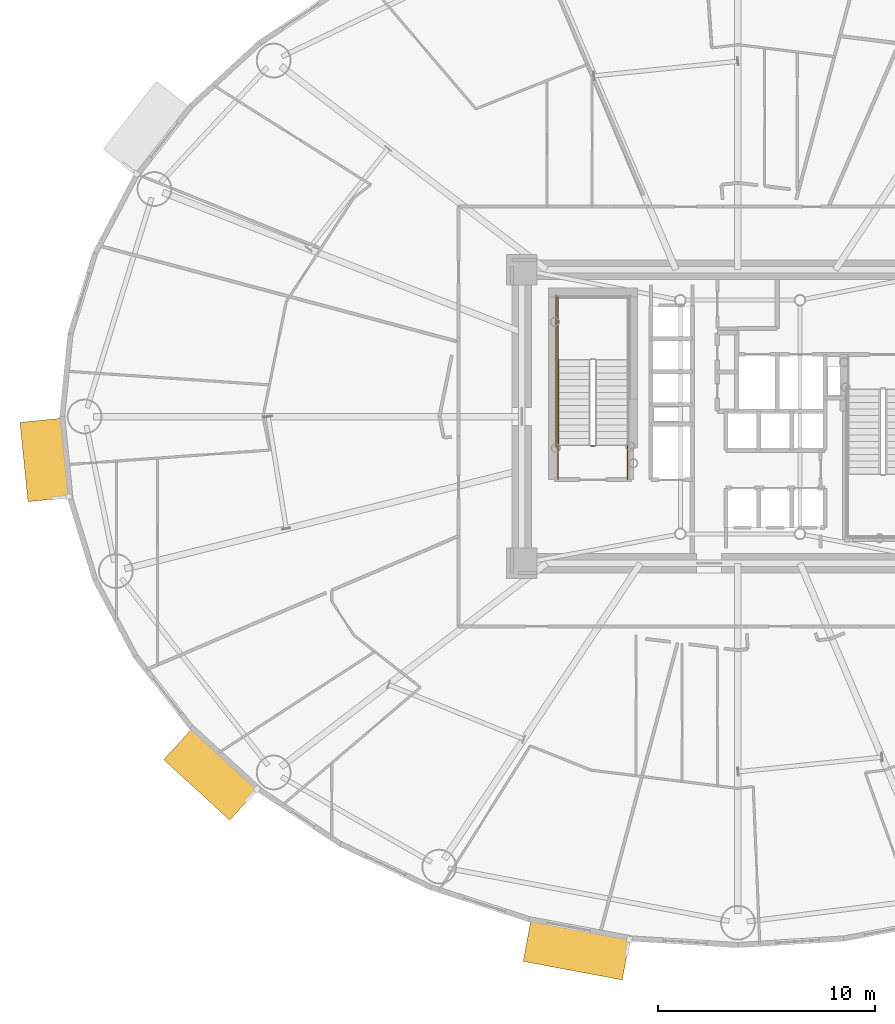
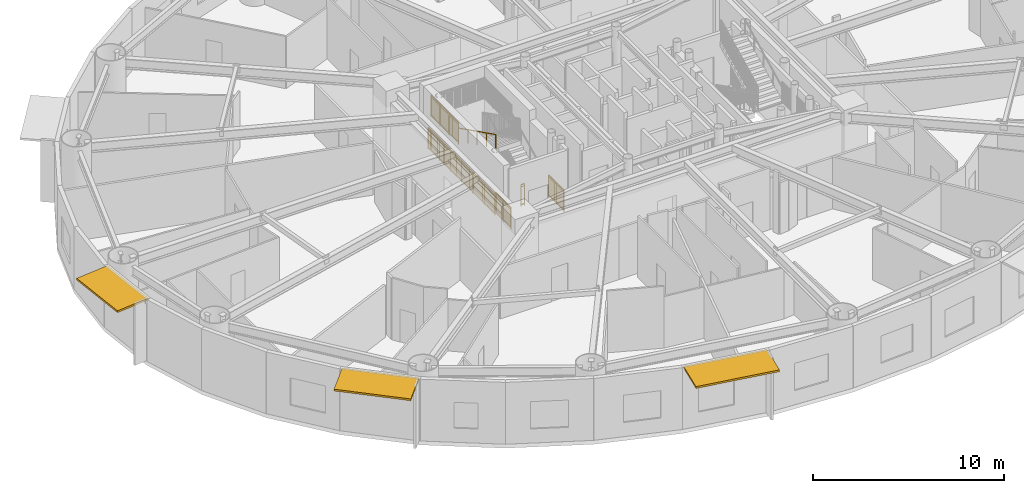
# One storey, part 18 of 24: 6 railings, 3 shading devices.
"""IFC4 building model written with IfcOpenShell, lengths in metres."""

from ifc_helpers import new_model, si_unit, direction, frame, origin, origin_2d, place, context, subcontext, project, spatial, rectangle, extrude, source, transform, mapped, material, layer, layer_set, type_object, element, save


model = new_model("IFC4")

# Units and contexts
model_context = context("Model", 3, precision=1e-05, world=origin(), true_north=direction((0.0, 1.0)))
body_context = subcontext(model_context, "Body", "Model", "MODEL_VIEW")
ifc_project = project(units=[si_unit("LENGTHUNIT", "METRE"), si_unit("AREAUNIT", "SQUARE_METRE"), si_unit("VOLUMEUNIT", "CUBIC_METRE"), si_unit("PLANEANGLEUNIT", "RADIAN"), si_unit("MASSUNIT", "GRAM", prefix="KILO")], contexts=[model_context])

# Site, building, storey
site_placement = place(None, origin())
site = spatial("IfcSite", under=ifc_project, at=site_placement, CompositionType="ELEMENT")
building_placement = place(site_placement, origin())
building = spatial("IfcBuilding", under=site, at=building_placement, Name="Linh Dai School and Residence Tower", CompositionType="ELEMENT")
storey_placement = place(building_placement, frame((0.0, 0.0, 74.39990234375)))
storey = spatial("IfcBuildingStorey", under=building, at=storey_placement, Name="L17", CompositionType="ELEMENT", Elevation=74.39990234375)

# Shading devices
ifc_material_1 = material(Name="Terracotta Ceramic Sunshade", Category="masonry")
ifc_layer = layer(ifc_material_1, 0.1201171875)
ifc_layer_set = layer_set([ifc_layer], Name="Terracotta Ceramic Sunshade")
shading_device_type = type_object("IfcShadingDeviceType", Name="SHD-TC-2000", PredefinedType="USERDEFINED", material=ifc_layer_set)
shared_shape_1 = source(origin(), body_context, "Body", "SweptSolid", [
    extrude(rectangle(XDim=3.663330078125, YDim=2.0, at=origin_2d()), origin(), (0.0, 0.0, 1.0), 0.1201171875),
])
shading_device_1_placement = place(storey_placement, frame((4.16064453125, 25.005615234375, 3.81005859375), z_axis=(0.0, 0.0, 1.0), x_axis=(-0.100009387998, 0.994986493533, 0.0)))
element("IfcShadingDevice", 1, at=shading_device_1_placement, inside=storey, type_object=shading_device_type, Name="L17 Terracotta Horizontal Sunshade Band 21", ObjectType="SUNSHADE", PredefinedType="USERDEFINED", context=body_context, shape_type="MappedRepresentation", body=[
    mapped(shared_shape_1, transform((0.0, 0.0, 0.0), x_axis=(1.0, 0.0, 0.0), y_axis=(0.0, 1.0, 0.0), z_axis=(0.0, 0.0, 1.0), scale=1.0)),
])
shared_shape_2 = source(origin(), body_context, "Body", "SweptSolid", [
    extrude(rectangle(XDim=4.1220703125, YDim=2.0, at=origin_2d()), origin(), (0.0, 0.0, 1.0), 0.1201171875),
])
shading_device_2_placement = place(storey_placement, frame((11.7841796875, 10.56689453125, 3.81005859375), z_axis=(0.0, 0.0, 1.0), x_axis=(-0.737113246362, 0.675769237268, 0.0)))
element("IfcShadingDevice", 2, at=shading_device_2_placement, inside=storey, type_object=shading_device_type, Name="L17 Terracotta Horizontal Sunshade Band 25", ObjectType="SUNSHADE", PredefinedType="USERDEFINED", context=body_context, shape_type="MappedRepresentation", body=[
    mapped(shared_shape_2, transform((0.0, 0.0, 0.0), x_axis=(1.0, 0.0, 0.0), y_axis=(0.0, 1.0, 0.0), z_axis=(0.0, 0.0, 1.0), scale=1.0)),
])
shared_shape_3 = source(origin(), body_context, "Body", "SweptSolid", [
    extrude(rectangle(XDim=4.635009765625, YDim=2.0, at=origin_2d()), origin(), (0.0, 0.0, 1.0), 0.1201171875),
])
shading_device_3_placement = place(storey_placement, frame((28.584716796875, 2.497314453125, 3.81005859375), z_axis=(0.0, 0.0, 1.0), x_axis=(-0.982785935675, 0.184747948944, 0.0)))
element("IfcShadingDevice", 3, at=shading_device_3_placement, inside=storey, type_object=shading_device_type, Name="L17 Terracotta Horizontal Sunshade Band 29", ObjectType="SUNSHADE", PredefinedType="USERDEFINED", context=body_context, shape_type="MappedRepresentation", body=[
    mapped(shared_shape_3, transform((0.0, 0.0, 0.0), x_axis=(1.0, 0.0, 0.0), y_axis=(0.0, 1.0, 0.0), z_axis=(0.0, 0.0, 1.0), scale=1.0)),
])

# Railings
ifc_material_2 = material(Name="Structural Steel S355JR", Category="steel")
railing_type_1 = type_object("IfcRailingType", Name="RL-ST-GUARD-1400", PredefinedType="GUARDRAIL", material=ifc_material_2)
shared_shape_4 = source(origin(), body_context, "Body", "SweptSolid", [
    extrude(rectangle(XDim=0.048095703125, YDim=0.048095703125, at=origin_2d()), frame((0.0, 0.0, 1.3759765625), z_axis=(-1.0, 0.0, 0.0), x_axis=(0.0, -1.0, 0.0)), (0.0, 0.0, 1.0), 0.199951171875),
    extrude(rectangle(XDim=0.048095703125, YDim=0.048095703125, at=origin_2d()), frame((0.0, 0.0, 0.10009765625), z_axis=(-1.0, 0.0, 0.0), x_axis=(0.0, -1.0, 0.0)), (0.0, 0.0, 1.0), 0.199951171875),
    extrude(rectangle(XDim=0.030029296875, YDim=0.030029296875, at=origin_2d()), frame((0.0, 0.0, 1.239990234375), z_axis=(-1.0, 0.0, 0.0), x_axis=(0.0, -1.0, 0.0)), (0.0, 0.0, 1.0), 0.199951171875),
    extrude(rectangle(XDim=0.0419921875, YDim=0.0419921875, at=origin_2d()), origin(), (0.0, 0.0, 1.0), 1.3759765625),
    extrude(rectangle(XDim=0.0419921875, YDim=0.0419921875, at=origin_2d()), frame((-0.199951171875, 0.0, 0.0)), (0.0, 0.0, 1.0), 1.3759765625),
])
railing_1_placement = place(storey_placement, frame((29.429931640625, 25.64990234375, 0.0)))
element("IfcRailing", 4, at=railing_1_placement, inside=storey, type_object=railing_type_1, Name="L17 ST1 stair guard 7", PredefinedType="GUARDRAIL", context=body_context, shape_type="MappedRepresentation", body=[
    mapped(shared_shape_4, transform((0.0, 0.0, 0.0), x_axis=(1.0, 0.0, 0.0), y_axis=(0.0, 1.0, 0.0), z_axis=(0.0, 0.0, 1.0), scale=1.0)),
])
shared_shape_5 = source(origin(), body_context, "Body", "SweptSolid", [
    extrude(rectangle(XDim=0.048095703125, YDim=0.048095703125, at=origin_2d()), frame((0.0, 0.0, 1.3759765625), z_axis=(0.0, 1.0, 0.0), x_axis=(-1.0, 0.0, 0.0)), (0.0, 0.0, 1.0), 1.599853515625),
    extrude(rectangle(XDim=0.048095703125, YDim=0.048095703125, at=origin_2d()), frame((0.0, 0.0, 0.10009765625), z_axis=(0.0, 1.0, 0.0), x_axis=(-1.0, 0.0, 0.0)), (0.0, 0.0, 1.0), 1.599853515625),
    extrude(rectangle(XDim=0.030029296875, YDim=0.030029296875, at=origin_2d()), frame((0.0, 0.0, 1.239990234375), z_axis=(0.0, 1.0, 0.0), x_axis=(-1.0, 0.0, 0.0)), (0.0, 0.0, 1.0), 1.599853515625),
    extrude(rectangle(XDim=0.02001953125, YDim=0.02001953125, at=origin_2d()), frame((0.0, 0.093994140625, 0.10009765625)), (0.0, 0.0, 1.0), 1.251708984375),
    extrude(rectangle(XDim=0.02001953125, YDim=0.02001953125, at=origin_2d()), frame((0.0, 0.188232421875, 0.10009765625)), (0.0, 0.0, 1.0), 1.251708984375),
    extrude(rectangle(XDim=0.02001953125, YDim=0.02001953125, at=origin_2d()), frame((0.0, 0.2822265625, 0.10009765625)), (0.0, 0.0, 1.0), 1.251708984375),
    extrude(rectangle(XDim=0.02001953125, YDim=0.02001953125, at=origin_2d()), frame((0.0, 0.37646484375, 0.10009765625)), (0.0, 0.0, 1.0), 1.251708984375),
    extrude(rectangle(XDim=0.02001953125, YDim=0.02001953125, at=origin_2d()), frame((0.0, 0.470458984375, 0.10009765625)), (0.0, 0.0, 1.0), 1.251708984375),
    extrude(rectangle(XDim=0.02001953125, YDim=0.02001953125, at=origin_2d()), frame((0.0, 0.564697265625, 0.10009765625)), (0.0, 0.0, 1.0), 1.251708984375),
    extrude(rectangle(XDim=0.02001953125, YDim=0.02001953125, at=origin_2d()), frame((0.0, 0.65869140625, 0.10009765625)), (0.0, 0.0, 1.0), 1.251708984375),
    extrude(rectangle(XDim=0.02001953125, YDim=0.02001953125, at=origin_2d()), frame((0.0, 0.7529296875, 0.10009765625)), (0.0, 0.0, 1.0), 1.251708984375),
    extrude(rectangle(XDim=0.02001953125, YDim=0.02001953125, at=origin_2d()), frame((0.0, 0.846923828125, 0.10009765625)), (0.0, 0.0, 1.0), 1.251708984375),
    extrude(rectangle(XDim=0.02001953125, YDim=0.02001953125, at=origin_2d()), frame((0.0, 0.941162109375, 0.10009765625)), (0.0, 0.0, 1.0), 1.251708984375),
    extrude(rectangle(XDim=0.02001953125, YDim=0.02001953125, at=origin_2d()), frame((0.0, 1.03515625, 0.10009765625)), (0.0, 0.0, 1.0), 1.251708984375),
    extrude(rectangle(XDim=0.02001953125, YDim=0.02001953125, at=origin_2d()), frame((0.0, 1.12939453125, 0.10009765625)), (0.0, 0.0, 1.0), 1.251708984375),
    extrude(rectangle(XDim=0.02001953125, YDim=0.02001953125, at=origin_2d()), frame((0.0, 1.223388671875, 0.10009765625)), (0.0, 0.0, 1.0), 1.251708984375),
    extrude(rectangle(XDim=0.02001953125, YDim=0.02001953125, at=origin_2d()), frame((0.0, 1.317626953125, 0.10009765625)), (0.0, 0.0, 1.0), 1.251708984375),
    extrude(rectangle(XDim=0.02001953125, YDim=0.02001953125, at=origin_2d()), frame((0.0, 1.41162109375, 0.10009765625)), (0.0, 0.0, 1.0), 1.251708984375),
    extrude(rectangle(XDim=0.02001953125, YDim=0.02001953125, at=origin_2d()), frame((0.0, 1.505859375, 0.10009765625)), (0.0, 0.0, 1.0), 1.251708984375),
    extrude(rectangle(XDim=0.0419921875, YDim=0.0419921875, at=origin_2d()), origin(), (0.0, 0.0, 1.0), 1.3759765625),
    extrude(rectangle(XDim=0.0419921875, YDim=0.0419921875, at=origin_2d()), frame((0.0, 0.7998046875, 0.0)), (0.0, 0.0, 1.0), 1.3759765625),
    extrude(rectangle(XDim=0.0419921875, YDim=0.0419921875, at=origin_2d()), frame((0.0, 1.599853515625, 0.0)), (0.0, 0.0, 1.0), 1.3759765625),
])
for number, where, name in (
    (5, (30.929931640625, 24.10009765625, 0.0), "L17 ST1 stair guard 8"),
    (6, (27.72998046875, 24.10009765625, 0.0), "L17 ST1 stair guard 9"),
):
    element("IfcRailing", number, at=place(storey_placement, frame(where)), inside=storey, type_object=railing_type_1, Name=name, PredefinedType="GUARDRAIL", context=body_context, shape_type="MappedRepresentation", body=[
        mapped(shared_shape_5, transform((0.0, 0.0, 0.0), x_axis=(1.0, 0.0, 0.0), y_axis=(0.0, 1.0, 0.0), z_axis=(0.0, 0.0, 1.0), scale=1.0)),
    ])
shared_shape_6 = source(origin(), body_context, "Body", "SweptSolid", [
    extrude(rectangle(XDim=0.048095703125, YDim=0.048095703125, at=origin_2d()), frame((0.0, 0.0, 1.3759765625), z_axis=(0.0, 1.0, 0.0), x_axis=(-1.0, 0.0, 0.0)), (0.0, 0.0, 1.0), 7.0),
    extrude(rectangle(XDim=0.048095703125, YDim=0.048095703125, at=origin_2d()), frame((0.0, 0.0, 0.10009765625), z_axis=(0.0, 1.0, 0.0), x_axis=(-1.0, 0.0, 0.0)), (0.0, 0.0, 1.0), 7.0),
    extrude(rectangle(XDim=0.030029296875, YDim=0.030029296875, at=origin_2d()), frame((0.0, 0.0, 1.239990234375), z_axis=(0.0, 1.0, 0.0), x_axis=(-1.0, 0.0, 0.0)), (0.0, 0.0, 1.0), 7.0),
    extrude(rectangle(XDim=0.02001953125, YDim=0.02001953125, at=origin_2d()), frame((0.0, 0.09716796875, 0.10009765625)), (0.0, 0.0, 1.0), 1.251708984375),
    extrude(rectangle(XDim=0.02001953125, YDim=0.02001953125, at=origin_2d()), frame((0.0, 0.1943359375, 0.10009765625)), (0.0, 0.0, 1.0), 1.251708984375),
    extrude(rectangle(XDim=0.02001953125, YDim=0.02001953125, at=origin_2d()), frame((0.0, 0.291748046875, 0.10009765625)), (0.0, 0.0, 1.0), 1.251708984375),
    extrude(rectangle(XDim=0.02001953125, YDim=0.02001953125, at=origin_2d()), frame((0.0, 0.388916015625, 0.10009765625)), (0.0, 0.0, 1.0), 1.251708984375),
    extrude(rectangle(XDim=0.02001953125, YDim=0.02001953125, at=origin_2d()), frame((0.0, 0.486083984375, 0.10009765625)), (0.0, 0.0, 1.0), 1.251708984375),
    extrude(rectangle(XDim=0.02001953125, YDim=0.02001953125, at=origin_2d()), frame((0.0, 0.583251953125, 0.10009765625)), (0.0, 0.0, 1.0), 1.251708984375),
    extrude(rectangle(XDim=0.02001953125, YDim=0.02001953125, at=origin_2d()), frame((0.0, 0.6806640625, 0.10009765625)), (0.0, 0.0, 1.0), 1.251708984375),
    extrude(rectangle(XDim=0.02001953125, YDim=0.02001953125, at=origin_2d()), frame((0.0, 0.77783203125, 0.10009765625)), (0.0, 0.0, 1.0), 1.251708984375),
    extrude(rectangle(XDim=0.02001953125, YDim=0.02001953125, at=origin_2d()), frame((0.0, 0.875, 0.10009765625)), (0.0, 0.0, 1.0), 1.251708984375),
    extrude(rectangle(XDim=0.02001953125, YDim=0.02001953125, at=origin_2d()), frame((0.0, 0.97216796875, 0.10009765625)), (0.0, 0.0, 1.0), 1.251708984375),
    extrude(rectangle(XDim=0.02001953125, YDim=0.02001953125, at=origin_2d()), frame((0.0, 1.0693359375, 0.10009765625)), (0.0, 0.0, 1.0), 1.251708984375),
    extrude(rectangle(XDim=0.02001953125, YDim=0.02001953125, at=origin_2d()), frame((0.0, 1.263916015625, 0.10009765625)), (0.0, 0.0, 1.0), 1.251708984375),
    extrude(rectangle(XDim=0.02001953125, YDim=0.02001953125, at=origin_2d()), frame((0.0, 1.361083984375, 0.10009765625)), (0.0, 0.0, 1.0), 1.251708984375),
    extrude(rectangle(XDim=0.02001953125, YDim=0.02001953125, at=origin_2d()), frame((0.0, 1.458251953125, 0.10009765625)), (0.0, 0.0, 1.0), 1.251708984375),
    extrude(rectangle(XDim=0.02001953125, YDim=0.02001953125, at=origin_2d()), frame((0.0, 1.5556640625, 0.10009765625)), (0.0, 0.0, 1.0), 1.251708984375),
    extrude(rectangle(XDim=0.02001953125, YDim=0.02001953125, at=origin_2d()), frame((0.0, 1.65283203125, 0.10009765625)), (0.0, 0.0, 1.0), 1.251708984375),
    extrude(rectangle(XDim=0.02001953125, YDim=0.02001953125, at=origin_2d()), frame((0.0, 1.75, 0.10009765625)), (0.0, 0.0, 1.0), 1.251708984375),
    extrude(rectangle(XDim=0.02001953125, YDim=0.02001953125, at=origin_2d()), frame((0.0, 1.84716796875, 0.10009765625)), (0.0, 0.0, 1.0), 1.251708984375),
    extrude(rectangle(XDim=0.02001953125, YDim=0.02001953125, at=origin_2d()), frame((0.0, 1.9443359375, 0.10009765625)), (0.0, 0.0, 1.0), 1.251708984375),
    extrude(rectangle(XDim=0.02001953125, YDim=0.02001953125, at=origin_2d()), frame((0.0, 2.041748046875, 0.10009765625)), (0.0, 0.0, 1.0), 1.251708984375),
    extrude(rectangle(XDim=0.02001953125, YDim=0.02001953125, at=origin_2d()), frame((0.0, 2.138916015625, 0.10009765625)), (0.0, 0.0, 1.0), 1.251708984375),
    extrude(rectangle(XDim=0.02001953125, YDim=0.02001953125, at=origin_2d()), frame((0.0, 2.236083984375, 0.10009765625)), (0.0, 0.0, 1.0), 1.251708984375),
    extrude(rectangle(XDim=0.02001953125, YDim=0.02001953125, at=origin_2d()), frame((0.0, 2.4306640625, 0.10009765625)), (0.0, 0.0, 1.0), 1.251708984375),
    extrude(rectangle(XDim=0.02001953125, YDim=0.02001953125, at=origin_2d()), frame((0.0, 2.52783203125, 0.10009765625)), (0.0, 0.0, 1.0), 1.251708984375),
    extrude(rectangle(XDim=0.02001953125, YDim=0.02001953125, at=origin_2d()), frame((0.0, 2.625, 0.10009765625)), (0.0, 0.0, 1.0), 1.251708984375),
    extrude(rectangle(XDim=0.02001953125, YDim=0.02001953125, at=origin_2d()), frame((0.0, 2.72216796875, 0.10009765625)), (0.0, 0.0, 1.0), 1.251708984375),
    extrude(rectangle(XDim=0.02001953125, YDim=0.02001953125, at=origin_2d()), frame((0.0, 2.8193359375, 0.10009765625)), (0.0, 0.0, 1.0), 1.251708984375),
    extrude(rectangle(XDim=0.02001953125, YDim=0.02001953125, at=origin_2d()), frame((0.0, 2.916748046875, 0.10009765625)), (0.0, 0.0, 1.0), 1.251708984375),
    extrude(rectangle(XDim=0.02001953125, YDim=0.02001953125, at=origin_2d()), frame((0.0, 3.013916015625, 0.10009765625)), (0.0, 0.0, 1.0), 1.251708984375),
    extrude(rectangle(XDim=0.02001953125, YDim=0.02001953125, at=origin_2d()), frame((0.0, 3.111083984375, 0.10009765625)), (0.0, 0.0, 1.0), 1.251708984375),
    extrude(rectangle(XDim=0.02001953125, YDim=0.02001953125, at=origin_2d()), frame((0.0, 3.208251953125, 0.10009765625)), (0.0, 0.0, 1.0), 1.251708984375),
    extrude(rectangle(XDim=0.02001953125, YDim=0.02001953125, at=origin_2d()), frame((0.0, 3.3056640625, 0.10009765625)), (0.0, 0.0, 1.0), 1.251708984375),
    extrude(rectangle(XDim=0.02001953125, YDim=0.02001953125, at=origin_2d()), frame((0.0, 3.40283203125, 0.10009765625)), (0.0, 0.0, 1.0), 1.251708984375),
    extrude(rectangle(XDim=0.02001953125, YDim=0.02001953125, at=origin_2d()), frame((0.0, 3.59716796875, 0.10009765625)), (0.0, 0.0, 1.0), 1.251708984375),
    extrude(rectangle(XDim=0.02001953125, YDim=0.02001953125, at=origin_2d()), frame((0.0, 3.6943359375, 0.10009765625)), (0.0, 0.0, 1.0), 1.251708984375),
    extrude(rectangle(XDim=0.02001953125, YDim=0.02001953125, at=origin_2d()), frame((0.0, 3.791748046875, 0.10009765625)), (0.0, 0.0, 1.0), 1.251708984375),
    extrude(rectangle(XDim=0.02001953125, YDim=0.02001953125, at=origin_2d()), frame((0.0, 3.888916015625, 0.10009765625)), (0.0, 0.0, 1.0), 1.251708984375),
    extrude(rectangle(XDim=0.02001953125, YDim=0.02001953125, at=origin_2d()), frame((0.0, 3.986083984375, 0.10009765625)), (0.0, 0.0, 1.0), 1.251708984375),
    extrude(rectangle(XDim=0.02001953125, YDim=0.02001953125, at=origin_2d()), frame((0.0, 4.083251953125, 0.10009765625)), (0.0, 0.0, 1.0), 1.251708984375),
    extrude(rectangle(XDim=0.02001953125, YDim=0.02001953125, at=origin_2d()), frame((0.0, 4.1806640625, 0.10009765625)), (0.0, 0.0, 1.0), 1.251708984375),
    extrude(rectangle(XDim=0.02001953125, YDim=0.02001953125, at=origin_2d()), frame((0.0, 4.27783203125, 0.10009765625)), (0.0, 0.0, 1.0), 1.251708984375),
    extrude(rectangle(XDim=0.02001953125, YDim=0.02001953125, at=origin_2d()), frame((0.0, 4.375, 0.10009765625)), (0.0, 0.0, 1.0), 1.251708984375),
    extrude(rectangle(XDim=0.02001953125, YDim=0.02001953125, at=origin_2d()), frame((0.0, 4.47216796875, 0.10009765625)), (0.0, 0.0, 1.0), 1.251708984375),
    extrude(rectangle(XDim=0.02001953125, YDim=0.02001953125, at=origin_2d()), frame((0.0, 4.5693359375, 0.10009765625)), (0.0, 0.0, 1.0), 1.251708984375),
    extrude(rectangle(XDim=0.02001953125, YDim=0.02001953125, at=origin_2d()), frame((0.0, 4.763916015625, 0.10009765625)), (0.0, 0.0, 1.0), 1.251708984375),
    extrude(rectangle(XDim=0.02001953125, YDim=0.02001953125, at=origin_2d()), frame((0.0, 4.861083984375, 0.10009765625)), (0.0, 0.0, 1.0), 1.251708984375),
    extrude(rectangle(XDim=0.02001953125, YDim=0.02001953125, at=origin_2d()), frame((0.0, 4.958251953125, 0.10009765625)), (0.0, 0.0, 1.0), 1.251708984375),
    extrude(rectangle(XDim=0.02001953125, YDim=0.02001953125, at=origin_2d()), frame((0.0, 5.0556640625, 0.10009765625)), (0.0, 0.0, 1.0), 1.251708984375),
    extrude(rectangle(XDim=0.02001953125, YDim=0.02001953125, at=origin_2d()), frame((0.0, 5.15283203125, 0.10009765625)), (0.0, 0.0, 1.0), 1.251708984375),
    extrude(rectangle(XDim=0.02001953125, YDim=0.02001953125, at=origin_2d()), frame((0.0, 5.25, 0.10009765625)), (0.0, 0.0, 1.0), 1.251708984375),
    extrude(rectangle(XDim=0.02001953125, YDim=0.02001953125, at=origin_2d()), frame((0.0, 5.34716796875, 0.10009765625)), (0.0, 0.0, 1.0), 1.251708984375),
    extrude(rectangle(XDim=0.02001953125, YDim=0.02001953125, at=origin_2d()), frame((0.0, 5.4443359375, 0.10009765625)), (0.0, 0.0, 1.0), 1.251708984375),
    extrude(rectangle(XDim=0.02001953125, YDim=0.02001953125, at=origin_2d()), frame((0.0, 5.541748046875, 0.10009765625)), (0.0, 0.0, 1.0), 1.251708984375),
    extrude(rectangle(XDim=0.02001953125, YDim=0.02001953125, at=origin_2d()), frame((0.0, 5.638916015625, 0.10009765625)), (0.0, 0.0, 1.0), 1.251708984375),
    extrude(rectangle(XDim=0.02001953125, YDim=0.02001953125, at=origin_2d()), frame((0.0, 5.736083984375, 0.10009765625)), (0.0, 0.0, 1.0), 1.251708984375),
    extrude(rectangle(XDim=0.02001953125, YDim=0.02001953125, at=origin_2d()), frame((0.0, 5.9306640625, 0.10009765625)), (0.0, 0.0, 1.0), 1.251708984375),
    extrude(rectangle(XDim=0.02001953125, YDim=0.02001953125, at=origin_2d()), frame((0.0, 6.02783203125, 0.10009765625)), (0.0, 0.0, 1.0), 1.251708984375),
    extrude(rectangle(XDim=0.02001953125, YDim=0.02001953125, at=origin_2d()), frame((0.0, 6.125, 0.10009765625)), (0.0, 0.0, 1.0), 1.251708984375),
    extrude(rectangle(XDim=0.02001953125, YDim=0.02001953125, at=origin_2d()), frame((0.0, 6.22216796875, 0.10009765625)), (0.0, 0.0, 1.0), 1.251708984375),
    extrude(rectangle(XDim=0.02001953125, YDim=0.02001953125, at=origin_2d()), frame((0.0, 6.3193359375, 0.10009765625)), (0.0, 0.0, 1.0), 1.251708984375),
    extrude(rectangle(XDim=0.02001953125, YDim=0.02001953125, at=origin_2d()), frame((0.0, 6.416748046875, 0.10009765625)), (0.0, 0.0, 1.0), 1.251708984375),
    extrude(rectangle(XDim=0.02001953125, YDim=0.02001953125, at=origin_2d()), frame((0.0, 6.513916015625, 0.10009765625)), (0.0, 0.0, 1.0), 1.251708984375),
    extrude(rectangle(XDim=0.02001953125, YDim=0.02001953125, at=origin_2d()), frame((0.0, 6.611083984375, 0.10009765625)), (0.0, 0.0, 1.0), 1.251708984375),
    extrude(rectangle(XDim=0.02001953125, YDim=0.02001953125, at=origin_2d()), frame((0.0, 6.708251953125, 0.10009765625)), (0.0, 0.0, 1.0), 1.251708984375),
    extrude(rectangle(XDim=0.02001953125, YDim=0.02001953125, at=origin_2d()), frame((0.0, 6.8056640625, 0.10009765625)), (0.0, 0.0, 1.0), 1.251708984375),
    extrude(rectangle(XDim=0.02001953125, YDim=0.02001953125, at=origin_2d()), frame((0.0, 6.90283203125, 0.10009765625)), (0.0, 0.0, 1.0), 1.251708984375),
    extrude(rectangle(XDim=0.0419921875, YDim=0.0419921875, at=origin_2d()), origin(), (0.0, 0.0, 1.0), 1.3759765625),
    extrude(rectangle(XDim=0.0419921875, YDim=0.0419921875, at=origin_2d()), frame((0.0, 1.166748046875, 0.0)), (0.0, 0.0, 1.0), 1.3759765625),
    extrude(rectangle(XDim=0.0419921875, YDim=0.0419921875, at=origin_2d()), frame((0.0, 2.333251953125, 0.0)), (0.0, 0.0, 1.0), 1.3759765625),
    extrude(rectangle(XDim=0.0419921875, YDim=0.0419921875, at=origin_2d()), frame((0.0, 3.5, 0.0)), (0.0, 0.0, 1.0), 1.3759765625),
    extrude(rectangle(XDim=0.0419921875, YDim=0.0419921875, at=origin_2d()), frame((0.0, 4.666748046875, 0.0)), (0.0, 0.0, 1.0), 1.3759765625),
    extrude(rectangle(XDim=0.0419921875, YDim=0.0419921875, at=origin_2d()), frame((0.0, 5.833251953125, 0.0)), (0.0, 0.0, 1.0), 1.3759765625),
    extrude(rectangle(XDim=0.0419921875, YDim=0.0419921875, at=origin_2d()), frame((0.0, 7.0, 0.0)), (0.0, 0.0, 1.0), 1.3759765625),
])
railing_2_placement = place(storey_placement, frame((27.6298828125, 25.60009765625, 0.0)))
element("IfcRailing", 7, at=railing_2_placement, inside=storey, type_object=railing_type_1, Name="L17 ST1 stair guard 11", PredefinedType="GUARDRAIL", context=body_context, shape_type="MappedRepresentation", body=[
    mapped(shared_shape_6, transform((0.0, 0.0, 0.0), x_axis=(1.0, 0.0, 0.0), y_axis=(0.0, 1.0, 0.0), z_axis=(0.0, 0.0, 1.0), scale=1.0)),
])
shared_shape_7 = source(origin(), body_context, "Body", "SweptSolid", [
    extrude(rectangle(XDim=0.048095703125, YDim=0.048095703125, at=origin_2d()), frame((0.0, 0.0, 1.3759765625), z_axis=(0.0, 1.0, 0.0), x_axis=(-1.0, 0.0, 0.0)), (0.0, 0.0, 1.0), 2.89990234375),
    extrude(rectangle(XDim=0.048095703125, YDim=0.048095703125, at=origin_2d()), frame((0.0, 0.0, 0.10009765625), z_axis=(0.0, 1.0, 0.0), x_axis=(-1.0, 0.0, 0.0)), (0.0, 0.0, 1.0), 2.89990234375),
    extrude(rectangle(XDim=0.030029296875, YDim=0.030029296875, at=origin_2d()), frame((0.0, 0.0, 1.239990234375), z_axis=(0.0, 1.0, 0.0), x_axis=(-1.0, 0.0, 0.0)), (0.0, 0.0, 1.0), 2.89990234375),
    extrude(rectangle(XDim=0.02001953125, YDim=0.02001953125, at=origin_2d()), frame((0.0, 0.0966796875, 0.10009765625)), (0.0, 0.0, 1.0), 1.251708984375),
    extrude(rectangle(XDim=0.02001953125, YDim=0.02001953125, at=origin_2d()), frame((0.0, 0.193359375, 0.10009765625)), (0.0, 0.0, 1.0), 1.251708984375),
    extrude(rectangle(XDim=0.02001953125, YDim=0.02001953125, at=origin_2d()), frame((0.0, 0.2900390625, 0.10009765625)), (0.0, 0.0, 1.0), 1.251708984375),
    extrude(rectangle(XDim=0.02001953125, YDim=0.02001953125, at=origin_2d()), frame((0.0, 0.38671875, 0.10009765625)), (0.0, 0.0, 1.0), 1.251708984375),
    extrude(rectangle(XDim=0.02001953125, YDim=0.02001953125, at=origin_2d()), frame((0.0, 0.4833984375, 0.10009765625)), (0.0, 0.0, 1.0), 1.251708984375),
    extrude(rectangle(XDim=0.02001953125, YDim=0.02001953125, at=origin_2d()), frame((0.0, 0.580078125, 0.10009765625)), (0.0, 0.0, 1.0), 1.251708984375),
    extrude(rectangle(XDim=0.02001953125, YDim=0.02001953125, at=origin_2d()), frame((0.0, 0.6767578125, 0.10009765625)), (0.0, 0.0, 1.0), 1.251708984375),
    extrude(rectangle(XDim=0.02001953125, YDim=0.02001953125, at=origin_2d()), frame((0.0, 0.773193359375, 0.10009765625)), (0.0, 0.0, 1.0), 1.251708984375),
    extrude(rectangle(XDim=0.02001953125, YDim=0.02001953125, at=origin_2d()), frame((0.0, 0.869873046875, 0.10009765625)), (0.0, 0.0, 1.0), 1.251708984375),
    extrude(rectangle(XDim=0.02001953125, YDim=0.02001953125, at=origin_2d()), frame((0.0, 1.063232421875, 0.10009765625)), (0.0, 0.0, 1.0), 1.251708984375),
    extrude(rectangle(XDim=0.02001953125, YDim=0.02001953125, at=origin_2d()), frame((0.0, 1.159912109375, 0.10009765625)), (0.0, 0.0, 1.0), 1.251708984375),
    extrude(rectangle(XDim=0.02001953125, YDim=0.02001953125, at=origin_2d()), frame((0.0, 1.256591796875, 0.10009765625)), (0.0, 0.0, 1.0), 1.251708984375),
    extrude(rectangle(XDim=0.02001953125, YDim=0.02001953125, at=origin_2d()), frame((0.0, 1.353271484375, 0.10009765625)), (0.0, 0.0, 1.0), 1.251708984375),
    extrude(rectangle(XDim=0.02001953125, YDim=0.02001953125, at=origin_2d()), frame((0.0, 1.449951171875, 0.10009765625)), (0.0, 0.0, 1.0), 1.251708984375),
    extrude(rectangle(XDim=0.02001953125, YDim=0.02001953125, at=origin_2d()), frame((0.0, 1.546630859375, 0.10009765625)), (0.0, 0.0, 1.0), 1.251708984375),
    extrude(rectangle(XDim=0.02001953125, YDim=0.02001953125, at=origin_2d()), frame((0.0, 1.643310546875, 0.10009765625)), (0.0, 0.0, 1.0), 1.251708984375),
    extrude(rectangle(XDim=0.02001953125, YDim=0.02001953125, at=origin_2d()), frame((0.0, 1.739990234375, 0.10009765625)), (0.0, 0.0, 1.0), 1.251708984375),
    extrude(rectangle(XDim=0.02001953125, YDim=0.02001953125, at=origin_2d()), frame((0.0, 1.836669921875, 0.10009765625)), (0.0, 0.0, 1.0), 1.251708984375),
    extrude(rectangle(XDim=0.02001953125, YDim=0.02001953125, at=origin_2d()), frame((0.0, 2.030029296875, 0.10009765625)), (0.0, 0.0, 1.0), 1.251708984375),
    extrude(rectangle(XDim=0.02001953125, YDim=0.02001953125, at=origin_2d()), frame((0.0, 2.126708984375, 0.10009765625)), (0.0, 0.0, 1.0), 1.251708984375),
    extrude(rectangle(XDim=0.02001953125, YDim=0.02001953125, at=origin_2d()), frame((0.0, 2.22314453125, 0.10009765625)), (0.0, 0.0, 1.0), 1.251708984375),
    extrude(rectangle(XDim=0.02001953125, YDim=0.02001953125, at=origin_2d()), frame((0.0, 2.31982421875, 0.10009765625)), (0.0, 0.0, 1.0), 1.251708984375),
    extrude(rectangle(XDim=0.02001953125, YDim=0.02001953125, at=origin_2d()), frame((0.0, 2.41650390625, 0.10009765625)), (0.0, 0.0, 1.0), 1.251708984375),
    extrude(rectangle(XDim=0.02001953125, YDim=0.02001953125, at=origin_2d()), frame((0.0, 2.51318359375, 0.10009765625)), (0.0, 0.0, 1.0), 1.251708984375),
    extrude(rectangle(XDim=0.02001953125, YDim=0.02001953125, at=origin_2d()), frame((0.0, 2.60986328125, 0.10009765625)), (0.0, 0.0, 1.0), 1.251708984375),
    extrude(rectangle(XDim=0.02001953125, YDim=0.02001953125, at=origin_2d()), frame((0.0, 2.70654296875, 0.10009765625)), (0.0, 0.0, 1.0), 1.251708984375),
    extrude(rectangle(XDim=0.02001953125, YDim=0.02001953125, at=origin_2d()), frame((0.0, 2.80322265625, 0.10009765625)), (0.0, 0.0, 1.0), 1.251708984375),
    extrude(rectangle(XDim=0.0419921875, YDim=0.0419921875, at=origin_2d()), origin(), (0.0, 0.0, 1.0), 1.3759765625),
    extrude(rectangle(XDim=0.0419921875, YDim=0.0419921875, at=origin_2d()), frame((0.0, 0.966552734375, 0.0)), (0.0, 0.0, 1.0), 1.3759765625),
    extrude(rectangle(XDim=0.0419921875, YDim=0.0419921875, at=origin_2d()), frame((0.0, 1.933349609375, 0.0)), (0.0, 0.0, 1.0), 1.3759765625),
    extrude(rectangle(XDim=0.0419921875, YDim=0.0419921875, at=origin_2d()), frame((0.0, 2.89990234375, 0.0)), (0.0, 0.0, 1.0), 1.3759765625),
])
railing_3_placement = place(storey_placement, frame((27.72998046875, 29.60009765625, 2.10009765625)))
element("IfcRailing", 8, at=railing_3_placement, inside=storey, type_object=railing_type_1, Name="L17 ST1 stair guard 4", PredefinedType="GUARDRAIL", context=body_context, shape_type="MappedRepresentation", body=[
    mapped(shared_shape_7, transform((0.0, 0.0, 0.0), x_axis=(1.0, 0.0, 0.0), y_axis=(0.0, 1.0, 0.0), z_axis=(0.0, 0.0, 1.0), scale=1.0)),
])
ifc_material_3 = material(Name="Brushed Stainless Steel Handrail", Category="steel")
railing_type_2 = type_object("IfcRailingType", Name="RL-ST-HANDRAIL-900", PredefinedType="HANDRAIL", material=ifc_material_3)
shared_shape_8 = source(origin(), body_context, "Body", "SweptSolid", [
    extrude(rectangle(XDim=0.048095703125, YDim=0.048095703125, at=origin_2d()), frame((0.0, 0.0, 0.8759765625), z_axis=(0.0, -0.894415993023, 0.447235990752), x_axis=(1.0, 0.0, 0.0)), (0.0, 0.0, 1.0), 4.360595703125),
    extrude(rectangle(XDim=0.0419921875, YDim=0.0419921875, at=origin_2d()), origin(), (0.0, 0.0, 1.0), 0.8759765625),
    extrude(rectangle(XDim=0.0419921875, YDim=0.0419921875, at=origin_2d()), frame((0.0, -0.97509765625, 0.487548828125)), (0.0, 0.0, 1.0), 0.8759765625),
    extrude(rectangle(XDim=0.0419921875, YDim=0.0419921875, at=origin_2d()), frame((0.0, -1.9501953125, 0.97509765625)), (0.0, 0.0, 1.0), 0.8759765625),
    extrude(rectangle(XDim=0.0419921875, YDim=0.0419921875, at=origin_2d()), frame((0.0, -2.925048828125, 1.462646484375)), (0.0, 0.0, 1.0), 0.8759765625),
    extrude(rectangle(XDim=0.0419921875, YDim=0.0419921875, at=origin_2d()), frame((0.0, -3.900146484375, 1.9501953125)), (0.0, 0.0, 1.0), 0.8759765625),
])
railing_4_placement = place(storey_placement, frame((27.72998046875, 29.60009765625, 2.25)))
element("IfcRailing", 9, at=railing_4_placement, inside=storey, type_object=railing_type_2, Name="L17 ST1 stair handrail 2", PredefinedType="HANDRAIL", context=body_context, shape_type="MappedRepresentation", body=[
    mapped(shared_shape_8, transform((0.0, 0.0, 0.0), x_axis=(1.0, 0.0, 0.0), y_axis=(0.0, 1.0, 0.0), z_axis=(0.0, 0.0, 1.0), scale=1.0)),
])

save(model, "model.ifc")
